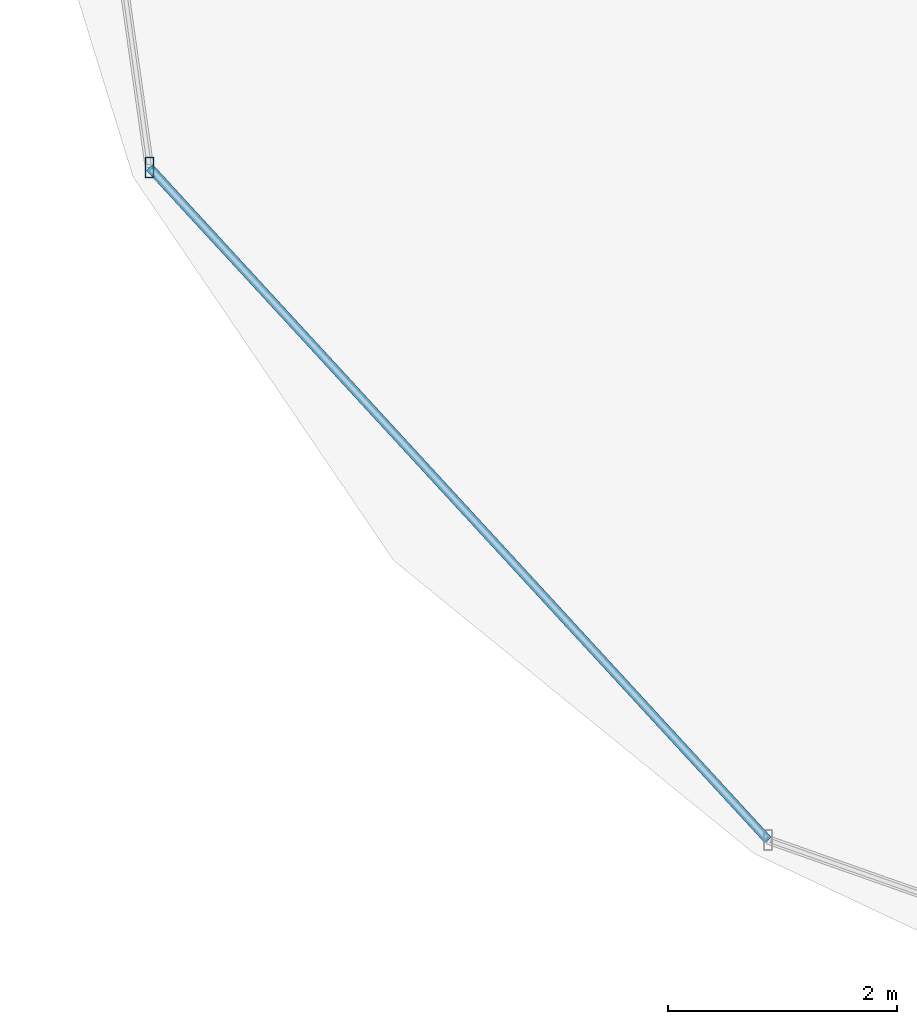
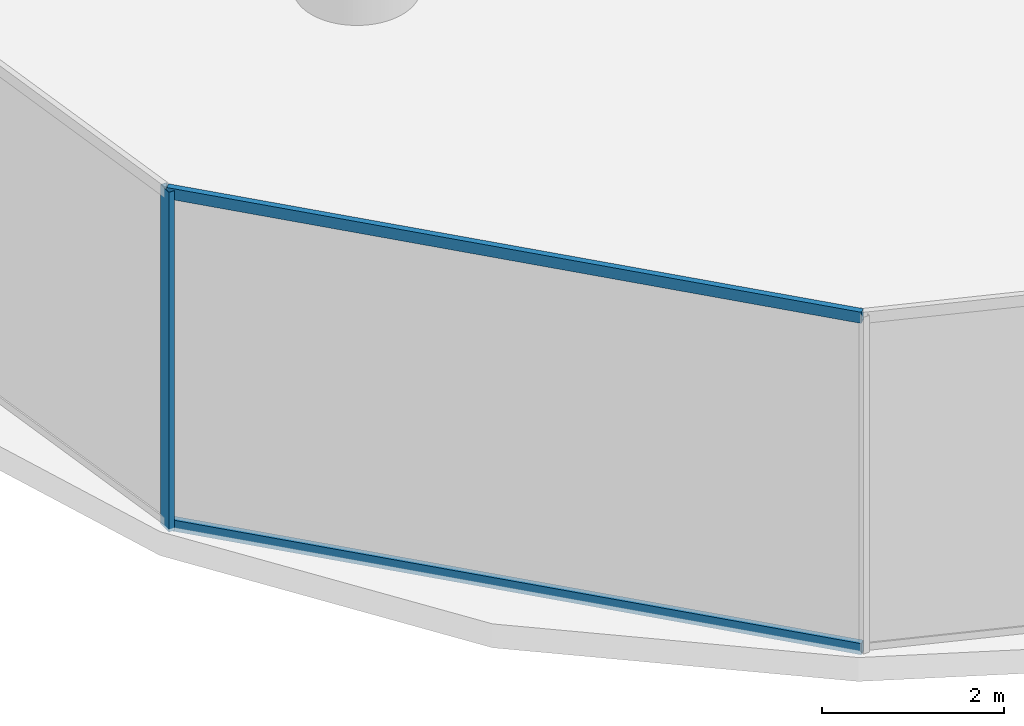
# One storey, part 3 of 30: 3 members, 1 element without a shape of its own.
"""IFC4 building model written with IfcOpenShell, lengths in metres."""

from ifc_helpers import new_model, si_unit, direction, frame, origin, origin_2d, place, context, subcontext, project, spatial, hollow_rectangle, extrude, material, material_profile, profile_set, type_object, element, aggregate, save


model = new_model("IFC4")

# Units and contexts
model_context = context("Model", 3, precision=1e-05, world=origin(), true_north=direction((0.0, 1.0)))
body_context = subcontext(model_context, "Body", "Model", "MODEL_VIEW")
ifc_project = project(units=[si_unit("LENGTHUNIT", "METRE"), si_unit("AREAUNIT", "SQUARE_METRE"), si_unit("VOLUMEUNIT", "CUBIC_METRE"), si_unit("PLANEANGLEUNIT", "RADIAN"), si_unit("MASSUNIT", "GRAM", prefix="KILO")], contexts=[model_context])

# Site, building, storey
site_placement = place(None, origin())
site = spatial("IfcSite", under=ifc_project, at=site_placement, CompositionType="ELEMENT")
building_placement = place(site_placement, origin())
building = spatial("IfcBuilding", under=site, at=building_placement, Name="Vorneva Point Tower", CompositionType="ELEMENT")
storey_placement = place(building_placement, frame((0.0, 0.0, 9.60009765625)))
storey = spatial("IfcBuildingStorey", under=building, at=storey_placement, Name="L02", CompositionType="ELEMENT", Elevation=9.60009765625)

# Curtain wall, members
ifc_material = material(Name="Pale anodised aluminium", Category="aluminium")
curtain_wall_type = type_object("IfcCurtainWallType", Name="CW-POD-SYS", PredefinedType="NOTDEFINED", material=ifc_material)
curtain_wall_placement = place(storey_placement, origin())
curtain_wall = element("IfcCurtainWall", 1, at=curtain_wall_placement, inside=storey, type_object=curtain_wall_type, Name="L02 Unitised Curtain Wall CW-L02-R03", PredefinedType="NOTDEFINED")
ifc_material_profile_1 = material_profile(ifc_material, hollow_rectangle(XDim=0.074951171875, YDim=0.179931640625, WallThickness=0.00390625, at=origin_2d()), Name="AL-MUL 180x75x4")
ifc_profile_set_1 = profile_set([ifc_material_profile_1], Name="Pale anodised aluminium")
member_type_1 = type_object("IfcMemberType", Name="CW-MUL-180", PredefinedType="MULLION", material=ifc_profile_set_1)
member_1_placement = place(storey_placement, frame((4.769287109375, 12.998291015625, -0.0400390625), z_axis=(0.0, 0.0, 1.0), x_axis=(1.0, 0.0, 0.0)))
member_1 = element("IfcMember", 2, at=member_1_placement, type_object=member_type_1, Name="CW-L02-R03 Mullion 04", PredefinedType="MULLION", context=body_context, shape_type="SweptSolid", body=[
    extrude(hollow_rectangle(XDim=0.074951171875, YDim=0.179931640625, WallThickness=0.00390625, at=origin_2d()), origin(), (0.0, 0.0, 1.0), 4.550048828125),
])
ifc_material_profile_2 = material_profile(ifc_material, hollow_rectangle(XDim=0.074951171875, YDim=0.14990234375, WallThickness=0.00390625, at=origin_2d()), Name="AL-TRN 150x75x4")
ifc_profile_set_2 = profile_set([ifc_material_profile_2], Name="Pale anodised aluminium")
member_type_2 = type_object("IfcMemberType", Name="CW-TRN-150", PredefinedType="USERDEFINED", material=ifc_profile_set_2)
member_2_placement = place(storey_placement, frame((4.769287109375, 12.998291015625, 0.02001953125), z_axis=(0.67696055084, -0.736019301789, 0.0), x_axis=(0.736019301789, 0.67696055084, 0.0)))
member_2 = element("IfcMember", 3, at=member_2_placement, type_object=member_type_2, Name="CW-L02-R03 Transom 04.1", ObjectType="TRANSOM", PredefinedType="USERDEFINED", context=body_context, shape_type="SweptSolid", body=[
    extrude(hollow_rectangle(XDim=0.074951171875, YDim=0.14990234375, WallThickness=0.00390625, at=origin_2d()), origin(), (0.0, 0.0, 1.0), 7.99072265625),
])
member_3_placement = place(storey_placement, frame((4.769287109375, 12.998291015625, 4.4599609375), z_axis=(0.67696055084, -0.736019301789, 0.0), x_axis=(0.736019301789, 0.67696055084, 0.0)))
member_3 = element("IfcMember", 4, at=member_3_placement, type_object=member_type_2, Name="CW-L02-R03 Transom 04.2", ObjectType="TRANSOM", PredefinedType="USERDEFINED", context=body_context, shape_type="SweptSolid", body=[
    extrude(hollow_rectangle(XDim=0.074951171875, YDim=0.14990234375, WallThickness=0.00390625, at=origin_2d()), origin(), (0.0, 0.0, 1.0), 7.99072265625),
])
aggregate(curtain_wall, [member_1, member_2, member_3])

save(model, "model.ifc")
